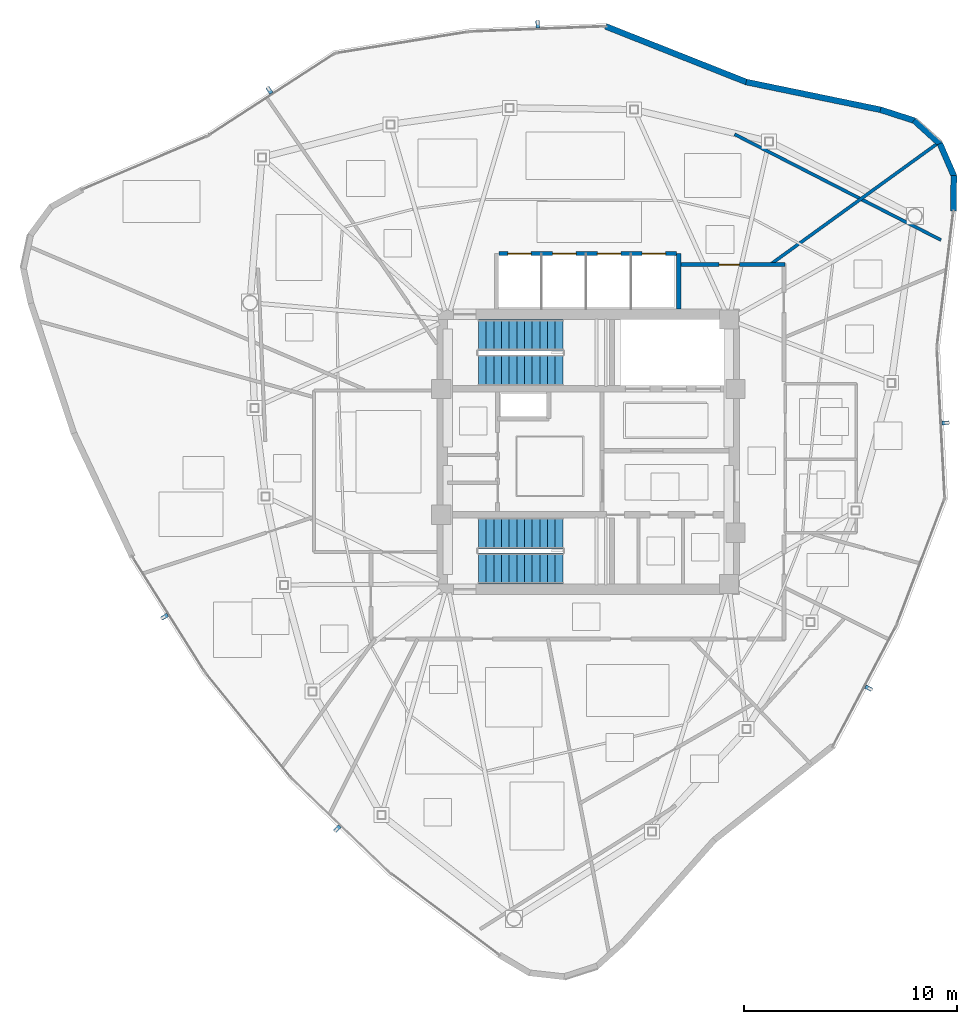
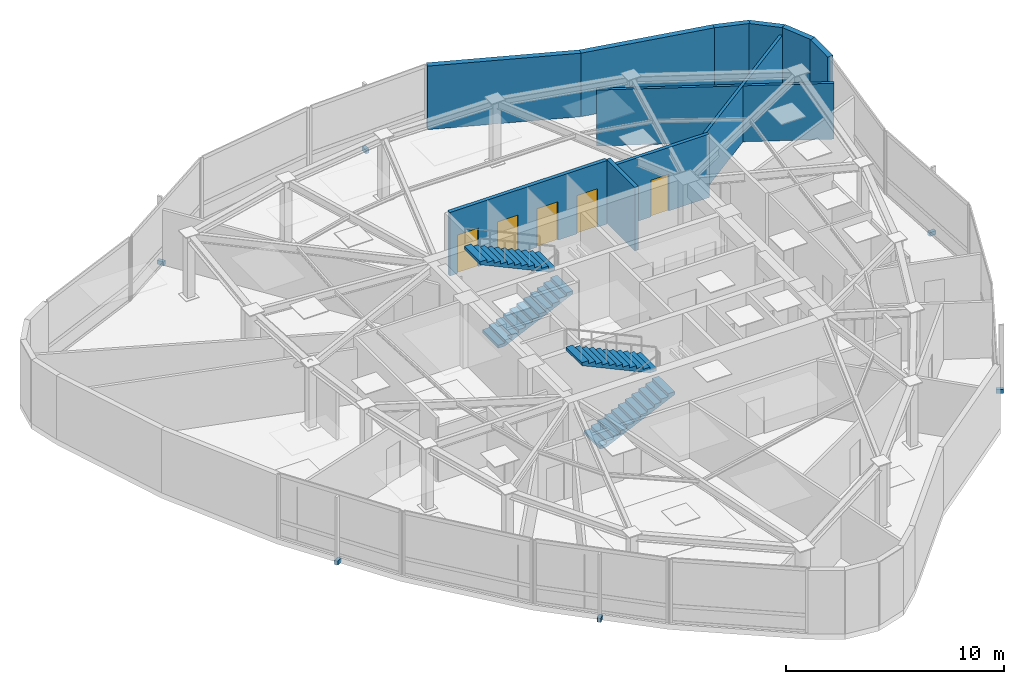
# One storey, part 10 of 12: 11 walls, 6 discrete accessories, 5 doors, 4 stair flights, 5 openings, 2 elements without a shape of their own.
"""IFC4 building model written with IfcOpenShell, lengths in metres."""

import ifcopenshell
import ifcopenshell.guid

model = None  # the IFC model being written
_history = None  # IfcOwnerHistory: only IFC2X3 demands one
_inside = {}  # id of a spatial element -> (the spatial element, [elements in it])
_under = {}  # id of a project, library or spatial element -> (it, [spatial elements below it])
_declared = {}  # id of a project -> (the project, [libraries it declares])
_typed = {}  # id of a type object -> (the type object, [elements of that type])
_made_of = {}  # id of a material, layer set ... -> (it, [elements and type objects made of it])


def new_model(schema):
    """Start an empty IFC model of exactly this schema.

    Asked for "IFC4X3", IfcOpenShell would pick the latest addendum, in which some entities
    have other attributes; the version numbers below select the first issue.
    IFC2X3 requires an IfcOwnerHistory on every rooted entity: one is made here for all.
    """
    global model, _history
    if schema == "IFC4X3":
        model = ifcopenshell.file(schema_version=(4, 3, 0, 0))
    else:
        model = ifcopenshell.file(schema=schema)
    _inside.clear()
    _under.clear()
    _declared.clear()
    _typed.clear()
    _made_of.clear()
    _history = None
    if model.schema == "IFC2X3":
        org = make("IfcOrganization", Name="unknown")
        user = make(
            "IfcPersonAndOrganization",
            ThePerson=make("IfcPerson", FamilyName="unknown"),
            TheOrganization=org,
        )
        app = make(
            "IfcApplication",
            ApplicationDeveloper=org,
            Version="unknown",
            ApplicationFullName="unknown",
            ApplicationIdentifier="unknown",
        )
        _history = make(
            "IfcOwnerHistory",
            OwningUser=user,
            OwningApplication=app,
            ChangeAction="ADDED",
            CreationDate=0,
        )
    return model


def make(cls, **values):
    """One entity of the class cls with the attributes given. An attribute that is None is left unset."""
    return model.create_entity(
        cls, **{name: value for name, value in values.items() if value is not None}
    )


def rooted(cls, **values):
    """An entity with a GlobalId (a new one), such as an element, a storey or a relation."""
    return make(cls, GlobalId=ifcopenshell.guid.new(), OwnerHistory=_history, **values)


def si_unit(unit_type, name, prefix=None):
    """IfcSIUnit, for example si_unit("LENGTHUNIT", "METRE", prefix="MILLI")."""
    return make("IfcSIUnit", UnitType=unit_type, Prefix=prefix, Name=name)


def assignment(units):
    """IfcUnitAssignment: the units of a project."""
    return None if units is None else make("IfcUnitAssignment", Units=units)


def point(xyz):
    """IfcCartesianPoint."""
    return None if xyz is None else make("IfcCartesianPoint", Coordinates=xyz)


def direction(xyz):
    """IfcDirection."""
    return None if xyz is None else make("IfcDirection", DirectionRatios=xyz)


def frame(location, z_axis=None, x_axis=None):
    """IfcAxis2Placement3D, a coordinate frame: its origin and axes. An axis left out is left unset."""
    return make(
        "IfcAxis2Placement3D",
        Location=point(location),
        Axis=direction(z_axis),
        RefDirection=direction(x_axis),
    )


def frame_2d(location, x_axis=None):
    """IfcAxis2Placement2D, a coordinate frame in the plane: its origin and x axis."""
    return make(
        "IfcAxis2Placement2D", Location=point(location), RefDirection=direction(x_axis)
    )


def origin():
    """The frame at (0, 0, 0) with its axes left unset."""
    return frame((0.0, 0.0, 0.0))


def origin_2d():
    """The frame at (0, 0) in the plane with its x axis left unset."""
    return frame_2d((0.0, 0.0))


def place(relative_to, where):
    """IfcLocalPlacement: puts the frame where relative to a parent placement (None: the world)."""
    return make(
        "IfcLocalPlacement", PlacementRelTo=relative_to, RelativePlacement=where
    )


def context(
    kind, dimensions, precision=None, world=None, true_north=None, identifier=None
):
    """IfcGeometricRepresentationContext, for example the 3D "Model" context."""
    return make(
        "IfcGeometricRepresentationContext",
        ContextIdentifier=identifier,
        ContextType=kind,
        CoordinateSpaceDimension=dimensions,
        Precision=precision,
        WorldCoordinateSystem=world,
        TrueNorth=true_north,
    )


def subcontext(parent, identifier, kind, view, scale=None):
    """IfcGeometricRepresentationSubContext, for example "Body" below "Model"."""
    return make(
        "IfcGeometricRepresentationSubContext",
        ContextIdentifier=identifier,
        ContextType=kind,
        ParentContext=parent,
        TargetScale=scale,
        TargetView=view,
    )


def project(units=None, contexts=None):
    """IfcProject with its units and contexts."""
    return rooted(
        "IfcProject",
        Name="project",
        RepresentationContexts=contexts,
        UnitsInContext=assignment(units),
    )


def spatial(cls, under=None, at=None, **own):
    """A site, building, storey or space (cls), placed at a placement, below another one or the project."""
    s = rooted(cls, ObjectPlacement=at, **own)
    if under is not None:
        _under.setdefault(under.id(), (under, []))[1].append(s)
    return s


def polyline(points):
    """IfcPolyline through the points."""
    return make("IfcPolyline", Points=[point(p) for p in points])


def profile(cls, at=None, kind="AREA", **sizes):
    """A parametric profile (cls). Its sizes go by their IFC names, for example OverallWidth=200.0."""
    return make(cls, ProfileType=kind, Position=at, **sizes)


def rectangle(**sizes):
    """IfcRectangleProfileDef."""
    return profile("IfcRectangleProfileDef", **sizes)


def outline(outer, holes=None, kind="AREA"):
    """IfcArbitraryClosedProfileDef: a profile drawn as a closed curve; with holes, ...WithVoids."""
    if holes is None:
        return make("IfcArbitraryClosedProfileDef", ProfileType=kind, OuterCurve=outer)
    return make(
        "IfcArbitraryProfileDefWithVoids",
        ProfileType=kind,
        OuterCurve=outer,
        InnerCurves=holes,
    )


def extrude(swept, where, along, depth):
    """IfcExtrudedAreaSolid: the profile swept, set in the frame where, extruded along a direction by depth."""
    return make(
        "IfcExtrudedAreaSolid",
        SweptArea=swept,
        Position=where,
        ExtrudedDirection=direction(along),
        Depth=depth,
    )


def shape(context_of_items, identifier, shape_type, items):
    """IfcShapeRepresentation: the items that make up one representation, for example the "Body"."""
    return make(
        "IfcShapeRepresentation",
        ContextOfItems=context_of_items,
        RepresentationIdentifier=identifier,
        RepresentationType=shape_type,
        Items=items,
    )


def source(mapping_origin, context_of_items, identifier, shape_type, items):
    """IfcRepresentationMap: a shape defined once, which mapped items show again and again."""
    return make(
        "IfcRepresentationMap",
        MappingOrigin=mapping_origin,
        MappedRepresentation=shape(context_of_items, identifier, shape_type, items),
    )


def transform(
    local_origin,
    x_axis=None,
    y_axis=None,
    z_axis=None,
    scale=None,
    scale2=None,
    scale3=None,
    uniform=True,
):
    """IfcCartesianTransformationOperator3D, or its non-uniform kind. x_axis, y_axis, z_axis: its Axis1, 2, 3."""
    if uniform:
        return make(
            "IfcCartesianTransformationOperator3D",
            Axis1=direction(x_axis),
            Axis2=direction(y_axis),
            LocalOrigin=point(local_origin),
            Scale=scale,
            Axis3=direction(z_axis),
        )
    return make(
        "IfcCartesianTransformationOperator3DnonUniform",
        Axis1=direction(x_axis),
        Axis2=direction(y_axis),
        LocalOrigin=point(local_origin),
        Scale=scale,
        Axis3=direction(z_axis),
        Scale2=scale2,
        Scale3=scale3,
    )


def mapped(mapping_source, mapping_target):
    """IfcMappedItem: shows the shape of a source again, moved by a transform."""
    return make(
        "IfcMappedItem", MappingSource=mapping_source, MappingTarget=mapping_target
    )


def material(Name=None, Category=None):
    """IfcMaterial."""
    return make("IfcMaterial", Name=Name, Category=Category)


def layer(
    of_material, thickness, ventilated=None, Name=None, Category=None, Priority=None
):
    """IfcMaterialLayer: one layer of a wall or slab, of a material (None: an air gap)."""
    return make(
        "IfcMaterialLayer",
        Material=of_material,
        LayerThickness=thickness,
        IsVentilated=ventilated,
        Name=Name,
        Category=Category,
        Priority=Priority,
    )


def layer_set(layers, Name=None):
    """IfcMaterialLayerSet."""
    return make("IfcMaterialLayerSet", MaterialLayers=layers, LayerSetName=Name)


def made_of(thing, what):
    """Note that an element or type object is made of a material, layer set ...; save() writes the relation."""
    if what is not None:
        _made_of.setdefault(what.id(), (what, []))[1].append(thing)
    return thing


def type_object(cls, material=None, **own):
    """A type object (cls), such as IfcWallType, which elements share."""
    return made_of(rooted(cls, **own), material)


def type_shapes(of_type, sources):
    """Give a type object the sources (RepresentationMaps) that its elements show as mapped items."""
    of_type.RepresentationMaps = sources


def element(
    cls,
    number,
    at=None,
    inside=None,
    cuts=None,
    type_object=None,
    material=None,
    context=None,
    identifier="Body",
    shape_type=None,
    held_by="IfcProductDefinitionShape",
    body=None,
    shapes=None,
    **own,
):
    """One element of the class cls, such as IfcWall. Its Tag is "e" and its number.

    at: its placement. inside: the storey or other place that contains it. cuts: it is an
    opening in that element (IfcRelVoidsElement). A single representation is given by context,
    identifier, shape_type and body (its items); several are given by shapes. held_by: the class
    of the entity that holds the representations. save() writes the other relations.
    """
    e = rooted(cls, Tag="e%d" % number, ObjectPlacement=at, **own)
    if body is not None:
        shapes = [shape(context, identifier, shape_type, body)]
    if shapes is not None:
        e.Representation = make(held_by, Representations=shapes)
    if inside is not None:
        _inside.setdefault(inside.id(), (inside, []))[1].append(e)
    if cuts is not None:
        rooted(
            "IfcRelVoidsElement", RelatingBuildingElement=cuts, RelatedOpeningElement=e
        )
    if type_object is not None:
        _typed.setdefault(type_object.id(), (type_object, []))[1].append(e)
    return made_of(e, material)


def fill(opening, filler):
    """IfcRelFillsElement: the door or window that sits in an opening."""
    return rooted(
        "IfcRelFillsElement",
        RelatingOpeningElement=opening,
        RelatedBuildingElement=filler,
    )


def aggregate(whole, parts):
    """IfcRelAggregates: a whole, such as a stair, and the parts it consists of."""
    return rooted("IfcRelAggregates", RelatingObject=whole, RelatedObjects=parts)


def save(model, path):
    """Write the relations noted so far, then the file.

    IfcRelAggregates (storeys below a building ...), IfcRelContainedInSpatialStructure (elements
    in a storey), IfcRelDefinesByType, IfcRelAssociatesMaterial and IfcRelDeclares: one each for
    every whole, place, type object, material and project.
    """
    for whole, parts in _under.values():
        aggregate(whole, parts)
    for where, things in _inside.values():
        rooted(
            "IfcRelContainedInSpatialStructure",
            RelatedElements=things,
            RelatingStructure=where,
        )
    for kind, things in _typed.values():
        rooted("IfcRelDefinesByType", RelatedObjects=things, RelatingType=kind)
    for what, things in _made_of.values():
        rooted("IfcRelAssociatesMaterial", RelatedObjects=things, RelatingMaterial=what)
    for by, libraries in _declared.values():
        rooted("IfcRelDeclares", RelatingContext=by, RelatedDefinitions=libraries)
    model.write(path)


model = new_model("IFC4")

# Units and contexts
model_context = context("Model", 3, precision=1e-05, world=origin(), true_north=direction((0.0, 1.0)))
body_context = subcontext(model_context, "Body", "Model", "MODEL_VIEW")
ifc_project = project(units=[si_unit("LENGTHUNIT", "METRE"), si_unit("AREAUNIT", "SQUARE_METRE"), si_unit("VOLUMEUNIT", "CUBIC_METRE"), si_unit("PLANEANGLEUNIT", "RADIAN"), si_unit("MASSUNIT", "GRAM", prefix="KILO")], contexts=[model_context])

# Site, building, storey
site_placement = place(None, origin())
site = spatial("IfcSite", under=ifc_project, at=site_placement, CompositionType="ELEMENT")
building_placement = place(site_placement, origin())
building = spatial("IfcBuilding", under=site, at=building_placement, Name="Tavelor Broadcast Tower", CompositionType="ELEMENT")
storey_placement = place(building_placement, frame((0.0, 0.0, 321.5)))
storey = spatial("IfcBuildingStorey", under=building, at=storey_placement, Name="L77", CompositionType="ELEMENT", Elevation=321.5)

# Wall, opening, door
ifc_material_1 = material(Name="Calcium Silicate Fire Board 180 mm", Category="gypsum")
ifc_layer_1 = layer(ifc_material_1, 0.179931640625)
ifc_layer_set_1 = layer_set([ifc_layer_1], Name="Calcium Silicate Fire Board 180 mm")
wall_type_1 = type_object("IfcWallType", Name="Fire-Rated Corridor Partition Wall 180 mm", PredefinedType="PARTITIONING", material=ifc_layer_set_1)
wall_1_placement = place(storey_placement, frame((54.300048828125, 53.780029296875, 0.0), z_axis=(0.0, 0.0, 1.0), x_axis=(1.0, 0.0, 0.0)))
wall_1 = element("IfcWall", 1, at=wall_1_placement, inside=storey, type_object=wall_type_1, Name="L77 Corridor Compartment Wall 01", PredefinedType="PARTITIONING", context=body_context, shape_type="SweptSolid", body=[
    extrude(rectangle(XDim=4.929931640625, YDim=0.179931640625, at=frame_2d((2.46484375, 0.0))), origin(), (0.0, 0.0, 1.0), 3.550048828125),
])
opening_1_placement = place(wall_1_placement, frame((1.8408203125, 0.0, 0.0)))
opening_1 = element("IfcOpeningElement", 2, at=opening_1_placement, cuts=wall_1, Name="Opening DR18", PredefinedType="OPENING", context=body_context, shape_type="SweptSolid", body=[
    extrude(rectangle(XDim=0.949951171875, YDim=2.050048828125, at=frame_2d((0.47509765625, 1.02490234375))), frame((0.0, 0.10009765625, 0.0), z_axis=(0.0, -1.0, 0.0), x_axis=(1.0, 0.0, 0.0)), (0.0, 0.0, 1.0), 0.199951171875),
])
ifc_material_2 = material(Name="Timber Solid Core Hardwood", Category="wood")
door_type_1 = type_object("IfcDoorType", Name="Corridor Rated Compartment Door 950x2050", OperationType="NOTDEFINED", PredefinedType="DOOR", material=ifc_material_2)
door_1_placement = place(opening_1_placement, origin())
door_1 = element("IfcDoor", 3, at=door_1_placement, inside=storey, type_object=door_type_1, Name="L77 Editorial Quiet Study Door R9", OperationType="SINGLE_SWING_LEFT", OverallHeight=2.050048828125, OverallWidth=0.949951171875, PredefinedType="DOOR", context=body_context, shape_type="SweptSolid", body=[
    extrude(rectangle(XDim=0.949951171875, YDim=2.050048828125, at=frame_2d((0.47509765625, 1.02490234375))), frame((0.0, 0.02490234375, 0.0), z_axis=(0.0, -1.0, 0.0), x_axis=(1.0, 0.0, 0.0)), (0.0, 0.0, 1.0), 0.050048828125),
])
fill(opening_1, door_1)

# Walls
ifc_material_3 = material(Name="Precast Concrete C40/50", Category="concrete")
ifc_layer_2 = layer(ifc_material_3, 0.280029296875)
ifc_layer_set_2 = layer_set([ifc_layer_2], Name="Precast Concrete C40/50")
wall_type_2 = type_object("IfcWallType", Name="Insulated Precast Terracotta Facade Wall 280 mm", PredefinedType="STANDARD", material=ifc_layer_set_2)
wall_2_placement = place(storey_placement, frame((67.129150390625, 56.294921875, 0.0), z_axis=(0.0, 0.0, 1.0), x_axis=(0.013008693045, 0.999915383373, 0.0)))
element("IfcWall", 4, at=wall_2_placement, inside=storey, type_object=wall_type_2, Name="L77 Rounded Corner Structural Cladding Pier 21", PredefinedType="STANDARD", context=body_context, shape_type="SweptSolid", body=[
    extrude(rectangle(XDim=1.67041015625, YDim=0.280029296875, at=frame_2d((0.835205078125, 0.0))), origin(), (0.0, 0.0, 1.0), 3.550048828125),
])
wall_3_placement = place(storey_placement, frame((67.15673828125, 57.936279296875, 0.0), z_axis=(0.0, 0.0, 1.0), x_axis=(-0.399560052243, 0.916707022255, 0.0)))
element("IfcWall", 5, at=wall_3_placement, inside=storey, type_object=wall_type_2, Name="L77 Rounded Corner Structural Cladding Pier 22", PredefinedType="STANDARD", context=body_context, shape_type="SweptSolid", body=[
    extrude(rectangle(XDim=1.658935546875, YDim=0.280029296875, at=frame_2d((0.82958984375, 0.0))), origin(), (0.0, 0.0, 1.0), 3.550048828125),
])
wall_4_placement = place(storey_placement, frame((66.510986328125, 59.43310546875, 0.0), z_axis=(0.0, 0.0, 1.0), x_axis=(-0.741337000854, 0.671132960869, 0.0)))
element("IfcWall", 6, at=wall_4_placement, inside=storey, type_object=wall_type_2, Name="L77 Rounded Corner Structural Cladding Pier 23", PredefinedType="STANDARD", context=body_context, shape_type="SweptSolid", body=[
    extrude(rectangle(XDim=1.65869140625, YDim=0.280029296875, at=frame_2d((0.829345703125, 0.0))), origin(), (0.0, 0.0, 1.0), 3.550048828125),
])
wall_5_placement = place(storey_placement, frame((65.306640625, 60.53173828125, 0.0), z_axis=(0.0, 0.0, 1.0), x_axis=(-0.951871327544, 0.306497921362, 0.0)))
element("IfcWall", 7, at=wall_5_placement, inside=storey, type_object=wall_type_2, Name="L77 Rounded Corner Structural Cladding Pier 24", PredefinedType="STANDARD", context=body_context, shape_type="SweptSolid", body=[
    extrude(rectangle(XDim=1.681396484375, YDim=0.280029296875, at=frame_2d((0.8408203125, 0.0))), origin(), (0.0, 0.0, 1.0), 3.550048828125),
])
wall_6_placement = place(storey_placement, frame((63.735107421875, 61.03955078125, 0.0), z_axis=(0.0, 0.0, 1.0), x_axis=(-0.979302516602, 0.202402028095, 0.0)))
element("IfcWall", 8, at=wall_6_placement, inside=storey, type_object=wall_type_2, Name="L77 Rounded Corner Structural Cladding Pier 25", PredefinedType="STANDARD", context=body_context, shape_type="SweptSolid", body=[
    extrude(rectangle(XDim=6.464111328125, YDim=0.280029296875, at=frame_2d((3.23193359375, 0.0))), origin(), (0.0, 0.0, 1.0), 3.550048828125),
])
wall_7_placement = place(storey_placement, frame((57.433349609375, 62.339111328125, 0.0), z_axis=(0.0, 0.0, 1.0), x_axis=(-0.929788514936, 0.368094169327, 0.0)))
element("IfcWall", 9, at=wall_7_placement, inside=storey, type_object=wall_type_2, Name="L77 Rounded Corner Structural Cladding Pier 26", PredefinedType="STANDARD", context=body_context, shape_type="SweptSolid", body=[
    extrude(rectangle(XDim=7.117431640625, YDim=0.280029296875, at=frame_2d((3.55859375, 0.0))), origin(), (0.0, 0.0, 1.0), 3.550048828125),
])
ifc_material_4 = material(Name="Gypsum Acoustic Plasterboard 150 mm", Category="gypsum")
ifc_layer_3 = layer(ifc_material_4, 0.14990234375)
ifc_layer_set_3 = layer_set([ifc_layer_3], Name="Gypsum Acoustic Plasterboard 150 mm")
wall_type_3 = type_object("IfcWallType", Name="Interior Acoustic Partition Wall 150 mm", PredefinedType="PARTITIONING", material=ifc_layer_set_3)
wall_8_placement = place(storey_placement, frame((66.542724609375, 54.934326171875, 0.0), z_axis=(0.0, 0.0, 1.0), x_axis=(-0.889966951661, 0.456025026673, 0.0)))
element("IfcWall", 10, at=wall_8_placement, inside=storey, type_object=wall_type_3, Name="L77 Corner Tube Brace Furring Wall 3", PredefinedType="PARTITIONING", context=body_context, shape_type="SweptSolid", body=[
    extrude(rectangle(XDim=10.878662109375, YDim=0.14990234375, at=frame_2d((5.439453125, 0.0))), origin(), (0.0, 0.0, 1.0), 3.125),
])
wall_9_placement = place(storey_placement, frame((58.53173828125, 53.780029296875, 0.0), z_axis=(0.0, 0.0, 1.0), x_axis=(0.810096856505, 0.58629607118, 0.0)))
element("IfcWall", 11, at=wall_9_placement, inside=storey, type_object=wall_type_3, Name="L77 Radial Compartment Wall 06", PredefinedType="PARTITIONING", context=body_context, shape_type="SweptSolid", body=[
    extrude(rectangle(XDim=9.767822265625, YDim=0.14990234375, at=frame_2d((4.8837890625, 0.0))), origin(), (0.0, 0.0, 1.0), 3.125),
])

# Wall, openings, doors
ifc_material_5 = material(Name="Concrete Blockwork 200 mm", Category="masonry")
ifc_layer_4 = layer(ifc_material_5, 0.199951171875)
ifc_layer_set_4 = layer_set([ifc_layer_4], Name="Concrete Blockwork 200 mm")
wall_type_4 = type_object("IfcWallType", Name="Lift Hoistway Rated Front Wall 200 mm", PredefinedType="PARTITIONING", material=ifc_layer_set_4)
wall_10_placement = place(storey_placement, frame((45.820068359375, 54.300048828125, 0.0), z_axis=(0.0, 0.0, 1.0), x_axis=(1.0, 0.0, 0.0)))
wall_10 = element("IfcWall", 12, at=wall_10_placement, inside=storey, type_object=wall_type_4, Name="L77 High-Rise Lift Hoistway Front Wall", PredefinedType="PARTITIONING", context=body_context, shape_type="SweptSolid", body=[
    extrude(rectangle(XDim=8.309814453125, YDim=0.199951171875, at=frame_2d((4.15478515625, 0.0))), origin(), (0.0, 0.0, 1.0), 3.550048828125),
])
opening_2_placement = place(wall_10_placement, frame((0.405029296875, 0.0, 0.0)))
opening_2 = element("IfcOpeningElement", 13, at=opening_2_placement, cuts=wall_10, Name="Opening LD01", PredefinedType="OPENING", context=body_context, shape_type="SweptSolid", body=[
    extrude(rectangle(XDim=1.10009765625, YDim=2.14990234375, at=frame_2d((0.550048828125, 1.074951171875))), frame((0.0, 0.10986328125, 0.0), z_axis=(0.0, -1.0, 0.0), x_axis=(1.0, 0.0, 0.0)), (0.0, 0.0, 1.0), 0.219970703125),
])
opening_3_placement = place(wall_10_placement, frame((2.5048828125, 0.0, 0.0)))
opening_3 = element("IfcOpeningElement", 14, at=opening_3_placement, cuts=wall_10, Name="Opening LD01", PredefinedType="OPENING", context=body_context, shape_type="SweptSolid", body=[
    extrude(rectangle(XDim=1.10009765625, YDim=2.14990234375, at=frame_2d((0.550048828125, 1.074951171875))), frame((0.0, 0.10986328125, 0.0), z_axis=(0.0, -1.0, 0.0), x_axis=(1.0, 0.0, 0.0)), (0.0, 0.0, 1.0), 0.219970703125),
])
opening_4_placement = place(wall_10_placement, frame((4.60498046875, 0.0, 0.0)))
opening_4 = element("IfcOpeningElement", 15, at=opening_4_placement, cuts=wall_10, Name="Opening LD01", PredefinedType="OPENING", context=body_context, shape_type="SweptSolid", body=[
    extrude(rectangle(XDim=1.10009765625, YDim=2.14990234375, at=frame_2d((0.550048828125, 1.074951171875))), frame((0.0, 0.10986328125, 0.0), z_axis=(0.0, -1.0, 0.0), x_axis=(1.0, 0.0, 0.0)), (0.0, 0.0, 1.0), 0.219970703125),
])
opening_5_placement = place(wall_10_placement, frame((6.705078125, 0.0, 0.0)))
opening_5 = element("IfcOpeningElement", 16, at=opening_5_placement, cuts=wall_10, Name="Opening LD01", PredefinedType="OPENING", context=body_context, shape_type="SweptSolid", body=[
    extrude(rectangle(XDim=1.10009765625, YDim=2.14990234375, at=frame_2d((0.550048828125, 1.074951171875))), frame((0.0, 0.10986328125, 0.0), z_axis=(0.0, -1.0, 0.0), x_axis=(1.0, 0.0, 0.0)), (0.0, 0.0, 1.0), 0.219970703125),
])
ifc_material_6 = material(Name="Brushed Stainless Steel", Category="steel")
door_type_2 = type_object("IfcDoorType", Name="Passenger Lift Sliding Landing Door 1100x2150", OperationType="NOTDEFINED", PredefinedType="DOOR", material=ifc_material_6)
door_2_placement = place(opening_2_placement, origin())
door_2 = element("IfcDoor", 17, at=door_2_placement, inside=storey, type_object=door_type_2, Name="L77 Lift PLH1 Sliding Landing Door", OperationType="SLIDING_TO_LEFT", OverallHeight=2.14990234375, OverallWidth=1.10009765625, PredefinedType="DOOR", context=body_context, shape_type="SweptSolid", body=[
    extrude(rectangle(XDim=1.10009765625, YDim=2.14990234375, at=frame_2d((0.550048828125, 1.074951171875))), frame((0.0, 0.02490234375, 0.0), z_axis=(0.0, -1.0, 0.0), x_axis=(1.0, 0.0, 0.0)), (0.0, 0.0, 1.0), 0.050048828125),
])
fill(opening_2, door_2)
door_3_placement = place(opening_3_placement, origin())
door_3 = element("IfcDoor", 18, at=door_3_placement, inside=storey, type_object=door_type_2, Name="L77 Lift PLH2 Sliding Landing Door", OperationType="SLIDING_TO_RIGHT", OverallHeight=2.14990234375, OverallWidth=1.10009765625, PredefinedType="DOOR", context=body_context, shape_type="SweptSolid", body=[
    extrude(rectangle(XDim=1.10009765625, YDim=2.14990234375, at=frame_2d((0.550048828125, 1.074951171875))), frame((0.0, 0.02490234375, 0.0), z_axis=(0.0, -1.0, 0.0), x_axis=(1.0, 0.0, 0.0)), (0.0, 0.0, 1.0), 0.050048828125),
])
fill(opening_3, door_3)
door_4_placement = place(opening_4_placement, origin())
door_4 = element("IfcDoor", 19, at=door_4_placement, inside=storey, type_object=door_type_2, Name="L77 Lift PLH3 Sliding Landing Door", OperationType="SLIDING_TO_LEFT", OverallHeight=2.14990234375, OverallWidth=1.10009765625, PredefinedType="DOOR", context=body_context, shape_type="SweptSolid", body=[
    extrude(rectangle(XDim=1.10009765625, YDim=2.14990234375, at=frame_2d((0.550048828125, 1.074951171875))), frame((0.0, 0.02490234375, 0.0), z_axis=(0.0, -1.0, 0.0), x_axis=(1.0, 0.0, 0.0)), (0.0, 0.0, 1.0), 0.050048828125),
])
fill(opening_4, door_4)
door_5_placement = place(opening_5_placement, origin())
door_5 = element("IfcDoor", 20, at=door_5_placement, inside=storey, type_object=door_type_2, Name="L77 Lift PLH4 Sliding Landing Door", OperationType="SLIDING_TO_RIGHT", OverallHeight=2.14990234375, OverallWidth=1.10009765625, PredefinedType="DOOR", context=body_context, shape_type="SweptSolid", body=[
    extrude(rectangle(XDim=1.10009765625, YDim=2.14990234375, at=frame_2d((0.550048828125, 1.074951171875))), frame((0.0, 0.02490234375, 0.0), z_axis=(0.0, -1.0, 0.0), x_axis=(1.0, 0.0, 0.0)), (0.0, 0.0, 1.0), 0.050048828125),
])
fill(opening_5, door_5)

# Wall
ifc_layer_5 = layer(ifc_material_5, 0.199951171875)
ifc_layer_set_5 = layer_set([ifc_layer_5], Name="Concrete Blockwork 200 mm")
wall_type_5 = type_object("IfcWallType", Name="Lift and Riser Shaft Enclosure Wall 200 mm", PredefinedType="PARTITIONING", material=ifc_layer_set_5)
wall_11_placement = place(storey_placement, frame((54.25, 51.699951171875, 0.0), z_axis=(0.0, 0.0, 1.0), x_axis=(0.0, 1.0, 0.0)))
element("IfcWall", 21, at=wall_11_placement, inside=storey, type_object=wall_type_5, Name="L77 High-Rise Lift Shaft East Wall", PredefinedType="PARTITIONING", context=body_context, shape_type="SweptSolid", body=[
    extrude(rectangle(XDim=2.60009765625, YDim=0.199951171875, at=frame_2d((1.300048828125, 0.0))), origin(), (0.0, 0.0, 1.0), 3.550048828125),
])

# Stair, stair flights
ifc_material_7 = material(Name="Concrete C40/50", Category="concrete")
stair_type = type_object("IfcStairType", Name="Reinforced Concrete Protected Dogleg Stair 1450 mm", PredefinedType="HALF_TURN_STAIR", material=ifc_material_7)
stair_1_placement = place(storey_placement, origin())
stair_1 = element("IfcStair", 22, at=stair_1_placement, inside=storey, type_object=stair_type, Name="L77 Protected Core Exit Stair ST1", PredefinedType="HALF_TURN_STAIR")
stair_flight_type = type_object("IfcStairFlightType", Name="Reinforced Concrete Stair Flight 1450 mm", PredefinedType="STRAIGHT", material=ifc_material_7)
stair_flight_1_placement = place(storey_placement, frame((44.85009765625, 48.824951171875, 0.0), z_axis=(0.0, 0.0, 1.0), x_axis=(1.0, 0.0, 0.0)))
stair_flight_1 = element("IfcStairFlight", 23, at=stair_flight_1_placement, type_object=stair_flight_type, Name="ST1 flight 1", NumberOfRisers=12, NumberOfTreads=11, PredefinedType="STRAIGHT", RiserHeight=0.166666667, TreadLength=0.36, context=body_context, shape_type="SweptSolid", body=[
    extrude(outline(polyline([(0.0, 0.0), (0.0, 0.166748046875), (0.360107421875, 0.166748046875), (0.360107421875, 0.333251953125), (0.719970703125, 0.333251953125), (0.719970703125, 0.5), (1.080078125, 0.5), (1.080078125, 0.666748046875), (1.43994140625, 0.666748046875), (1.43994140625, 0.833251953125), (1.800048828125, 0.833251953125), (1.800048828125, 1.0), (2.159912109375, 1.0), (2.159912109375, 1.166748046875), (2.52001953125, 1.166748046875), (2.52001953125, 1.333251953125), (2.8798828125, 1.333251953125), (2.8798828125, 1.5), (3.239990234375, 1.5), (3.239990234375, 1.666748046875), (3.60009765625, 1.666748046875), (3.60009765625, 1.833251953125), (3.9599609375, 1.833251953125), (3.9599609375, 2.0), (3.9599609375, 1.668212890625), (0.356689453125, 0.0), (0.0, 0.0)])), frame((0.0, 0.72509765625, 0.0), z_axis=(0.0, -1.0, 0.0), x_axis=(1.0, 0.0, 0.0)), (0.0, 0.0, 1.0), 1.449951171875),
])
stair_flight_2_placement = place(storey_placement, frame((48.81005859375, 50.47509765625, 2.0), z_axis=(0.0, 0.0, 1.0), x_axis=(-1.0, 0.0, 0.0)))
stair_flight_2 = element("IfcStairFlight", 24, at=stair_flight_2_placement, type_object=stair_flight_type, Name="ST1 flight 2", NumberOfRisers=12, NumberOfTreads=11, PredefinedType="STRAIGHT", RiserHeight=0.166666667, TreadLength=0.36, context=body_context, shape_type="SweptSolid", body=[
    extrude(outline(polyline([(0.0, 0.0), (0.0, 0.166748046875), (0.360107421875, 0.166748046875), (0.360107421875, 0.333251953125), (0.719970703125, 0.333251953125), (0.719970703125, 0.5), (1.080078125, 0.5), (1.080078125, 0.666748046875), (1.43994140625, 0.666748046875), (1.43994140625, 0.833251953125), (1.800048828125, 0.833251953125), (1.800048828125, 1.0), (2.159912109375, 1.0), (2.159912109375, 1.166748046875), (2.52001953125, 1.166748046875), (2.52001953125, 1.333251953125), (2.8798828125, 1.333251953125), (2.8798828125, 1.5), (3.239990234375, 1.5), (3.239990234375, 1.666748046875), (3.60009765625, 1.666748046875), (3.60009765625, 1.833251953125), (3.9599609375, 1.833251953125), (3.9599609375, 2.0), (3.9599609375, 1.668212890625), (0.356689453125, 0.0), (0.0, 0.0)])), frame((0.0, 0.72509765625, 0.0), z_axis=(0.0, -1.0, 0.0), x_axis=(1.0, 0.0, 0.0)), (0.0, 0.0, 1.0), 1.449951171875),
])
aggregate(stair_1, [stair_flight_1, stair_flight_2])

stair_2_placement = place(storey_placement, origin())
stair_2 = element("IfcStair", 25, at=stair_2_placement, inside=storey, type_object=stair_type, Name="L77 Protected Core Exit Stair ST2", PredefinedType="HALF_TURN_STAIR")
stair_flight_3_placement = place(storey_placement, frame((44.85009765625, 39.52490234375, 0.0), z_axis=(0.0, 0.0, 1.0), x_axis=(1.0, 0.0, 0.0)))
stair_flight_3 = element("IfcStairFlight", 26, at=stair_flight_3_placement, type_object=stair_flight_type, Name="ST2 flight 1", NumberOfRisers=12, NumberOfTreads=11, PredefinedType="STRAIGHT", RiserHeight=0.166666667, TreadLength=0.36, context=body_context, shape_type="SweptSolid", body=[
    extrude(outline(polyline([(0.0, 0.0), (0.0, 0.166748046875), (0.360107421875, 0.166748046875), (0.360107421875, 0.333251953125), (0.719970703125, 0.333251953125), (0.719970703125, 0.5), (1.080078125, 0.5), (1.080078125, 0.666748046875), (1.43994140625, 0.666748046875), (1.43994140625, 0.833251953125), (1.800048828125, 0.833251953125), (1.800048828125, 1.0), (2.159912109375, 1.0), (2.159912109375, 1.166748046875), (2.52001953125, 1.166748046875), (2.52001953125, 1.333251953125), (2.8798828125, 1.333251953125), (2.8798828125, 1.5), (3.239990234375, 1.5), (3.239990234375, 1.666748046875), (3.60009765625, 1.666748046875), (3.60009765625, 1.833251953125), (3.9599609375, 1.833251953125), (3.9599609375, 2.0), (3.9599609375, 1.668212890625), (0.356689453125, 0.0), (0.0, 0.0)])), frame((0.0, 0.72509765625, 0.0), z_axis=(0.0, -1.0, 0.0), x_axis=(1.0, 0.0, 0.0)), (0.0, 0.0, 1.0), 1.449951171875),
])
stair_flight_4_placement = place(storey_placement, frame((48.81005859375, 41.175048828125, 2.0), z_axis=(0.0, 0.0, 1.0), x_axis=(-1.0, 0.0, 0.0)))
stair_flight_4 = element("IfcStairFlight", 27, at=stair_flight_4_placement, type_object=stair_flight_type, Name="ST2 flight 2", NumberOfRisers=12, NumberOfTreads=11, PredefinedType="STRAIGHT", RiserHeight=0.166666667, TreadLength=0.36, context=body_context, shape_type="SweptSolid", body=[
    extrude(outline(polyline([(0.0, 0.0), (0.0, 0.166748046875), (0.360107421875, 0.166748046875), (0.360107421875, 0.333251953125), (0.719970703125, 0.333251953125), (0.719970703125, 0.5), (1.080078125, 0.5), (1.080078125, 0.666748046875), (1.43994140625, 0.666748046875), (1.43994140625, 0.833251953125), (1.800048828125, 0.833251953125), (1.800048828125, 1.0), (2.159912109375, 1.0), (2.159912109375, 1.166748046875), (2.52001953125, 1.166748046875), (2.52001953125, 1.333251953125), (2.8798828125, 1.333251953125), (2.8798828125, 1.5), (3.239990234375, 1.5), (3.239990234375, 1.666748046875), (3.60009765625, 1.666748046875), (3.60009765625, 1.833251953125), (3.9599609375, 1.833251953125), (3.9599609375, 2.0), (3.9599609375, 1.668212890625), (0.356689453125, 0.0), (0.0, 0.0)])), frame((0.0, 0.72509765625, 0.0), z_axis=(0.0, -1.0, 0.0), x_axis=(1.0, 0.0, 0.0)), (0.0, 0.0, 1.0), 1.449951171875),
])
aggregate(stair_2, [stair_flight_3, stair_flight_4])

# Discrete accessories
ifc_material_8 = material(Name="Steel S355", Category="steel")
discrete_accessory_type = type_object("IfcDiscreteAccessoryType", Name="Stainless Baguette Outrigger Support Bracket 260x180", PredefinedType="BRACKET", material=ifc_material_8)
shared_shape = source(origin(), body_context, "Body", "SweptSolid", [
    extrude(rectangle(XDim=0.179931640625, YDim=0.340087890625, at=origin_2d()), origin(), (0.0, 0.0, 1.0), 0.216064453125),
])
type_shapes(discrete_accessory_type, [shared_shape])
for number, where, z_axis, x_axis, name in (
    (28, (30.124267578125, 37.261962890625, -0.2578125), (0.0, 0.0, 1.0), (0.533171620737, -0.846007105668, 0.0), "L77 Baguette Outrigger Bracket 733"),
    (29, (38.2294921875, 27.315185546875, -0.2578125), (0.0, 0.0, 1.0), (0.72091407724, -0.693024453563, 0.0), "L77 Baguette Outrigger Bracket 734"),
    (30, (63.1533203125, 33.90966796875, -0.2578125), (0.0, 0.0, 1.0), (0.466077834922, 0.884743720969, 0.0), "L77 Baguette Outrigger Bracket 735"),
    (31, (66.760009765625, 46.35791015625, -0.2578125), (0.0, 0.0, 1.0), (-0.052335956243, 0.998629534755, 0.0), "L77 Baguette Outrigger Bracket 736"),
    (32, (47.6279296875, 65.0537109375, -0.2578125), (0.0, 0.0, 1.0), (-0.999249455659, -0.038736615301, 0.0), "L77 Baguette Outrigger Bracket 737"),
    (33, (35.0439453125, 61.953369140625, -0.2578125), (0.0, 0.0, 1.0), (-0.838670567945, -0.544639035015, 0.0), "L77 Baguette Outrigger Bracket 738"),
):
    element("IfcDiscreteAccessory", number, at=place(storey_placement, frame(where, z_axis=z_axis, x_axis=x_axis)), inside=storey, type_object=discrete_accessory_type, Name=name, PredefinedType="BRACKET", context=body_context, shape_type="MappedRepresentation", body=[
        mapped(shared_shape, transform((0.0, 0.0, 0.0), scale=1.0)),
    ])

save(model, "model.ifc")
